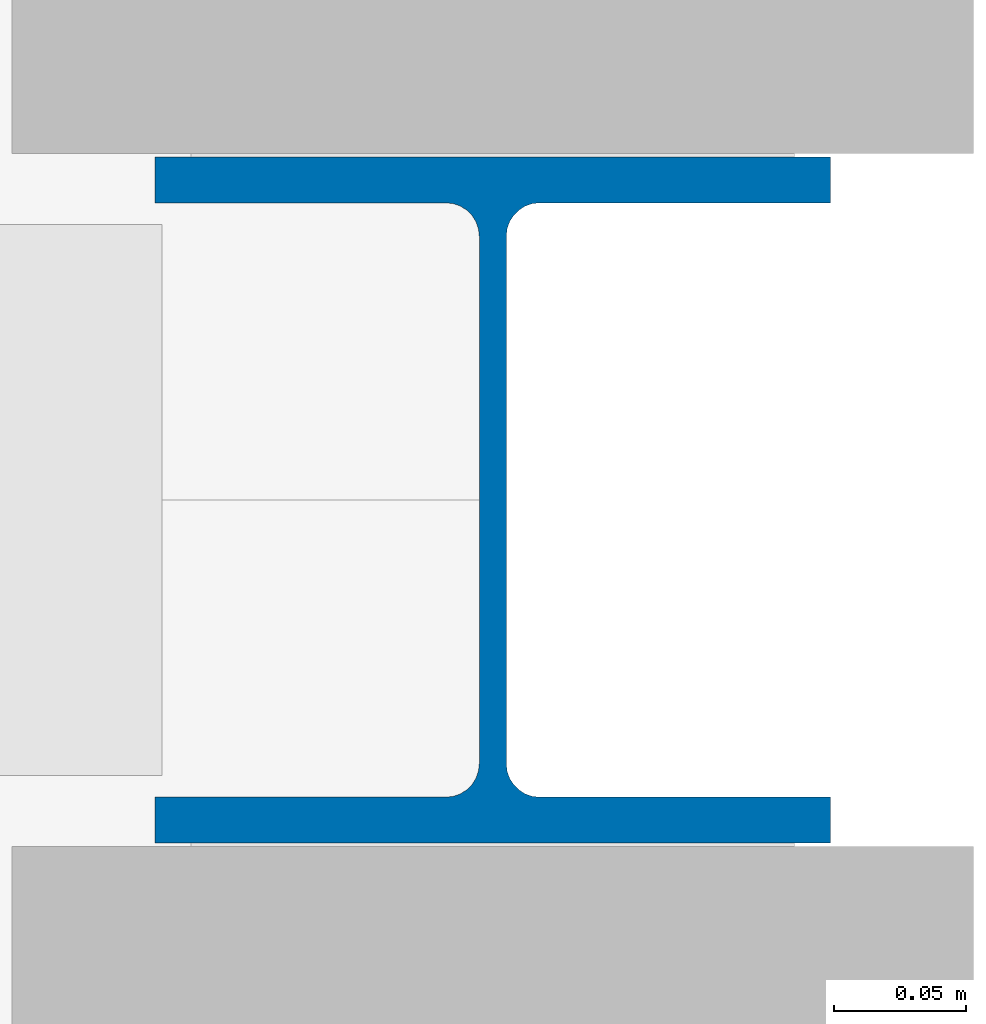
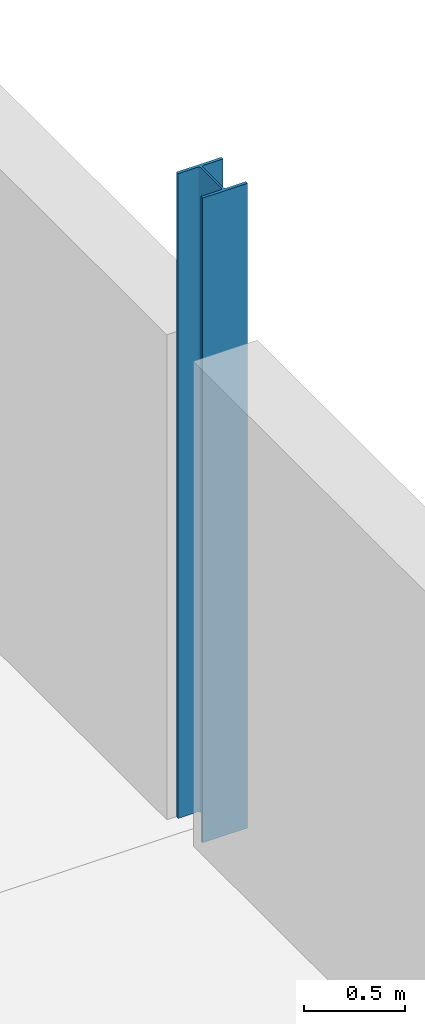
# One storey, part 9 of 30: 1 column.
"""IFC4 building model written with IfcOpenShell, lengths in metres."""

from ifc_helpers import new_model, si_unit, direction, frame, origin, origin_2d, place, context, subcontext, project, spatial, i_section, extrude, material, material_profile, profile_set, type_object, element, save


model = new_model("IFC4")

# Units and contexts
model_context = context("Model", 3, precision=1e-05, world=origin(), true_north=direction((0.0, 1.0)))
body_context = subcontext(model_context, "Body", "Model", "MODEL_VIEW")
ifc_project = project(units=[si_unit("LENGTHUNIT", "METRE"), si_unit("AREAUNIT", "SQUARE_METRE"), si_unit("VOLUMEUNIT", "CUBIC_METRE"), si_unit("PLANEANGLEUNIT", "RADIAN"), si_unit("MASSUNIT", "GRAM", prefix="KILO")], contexts=[model_context])

# Site, building, storey
site_placement = place(None, origin())
site = spatial("IfcSite", under=ifc_project, at=site_placement, CompositionType="ELEMENT")
building_placement = place(site_placement, origin())
building = spatial("IfcBuilding", under=site, at=building_placement, Name="Kisiwana Market Hall", CompositionType="ELEMENT")
storey_placement = place(building_placement, frame((0.0, 0.0, 54.0)))
storey = spatial("IfcBuildingStorey", under=building, at=storey_placement, Name="L12", CompositionType="ELEMENT", Elevation=54.0)

# Column
ifc_material = material(Name="Steel S355", Category="steel")
ifc_material_profile = material_profile(ifc_material, i_section(OverallWidth=0.25634765625, OverallDepth=0.26025390625, WebThickness=0.01025390625, FlangeThickness=0.017333984375, FilletRadius=0.0126953125, at=origin_2d()), Name="UC 254x254x89")
ifc_profile_set = profile_set([ifc_material_profile], Name="Steel S355")
column_type = type_object("IfcColumnType", Name="COL-STL-UC089", PredefinedType="COLUMN", material=ifc_profile_set)
column_placement = place(storey_placement, frame((198.0, 60.0, 0.0), z_axis=(0.0, 0.0, 1.0), x_axis=(1.0, 0.0, 0.0)))
element("IfcColumn", 1, at=column_placement, inside=storey, type_object=column_type, Name="Column H/23 (L12) C-1395", PredefinedType="COLUMN", context=body_context, shape_type="SweptSolid", body=[
    extrude(i_section(OverallWidth=0.25634765625, OverallDepth=0.26025390625, WebThickness=0.01025390625, FlangeThickness=0.017333984375, FilletRadius=0.0126953125, at=origin_2d()), origin(), (0.0, 0.0, 1.0), 3.89990234375),
])

save(model, "model.ifc")
